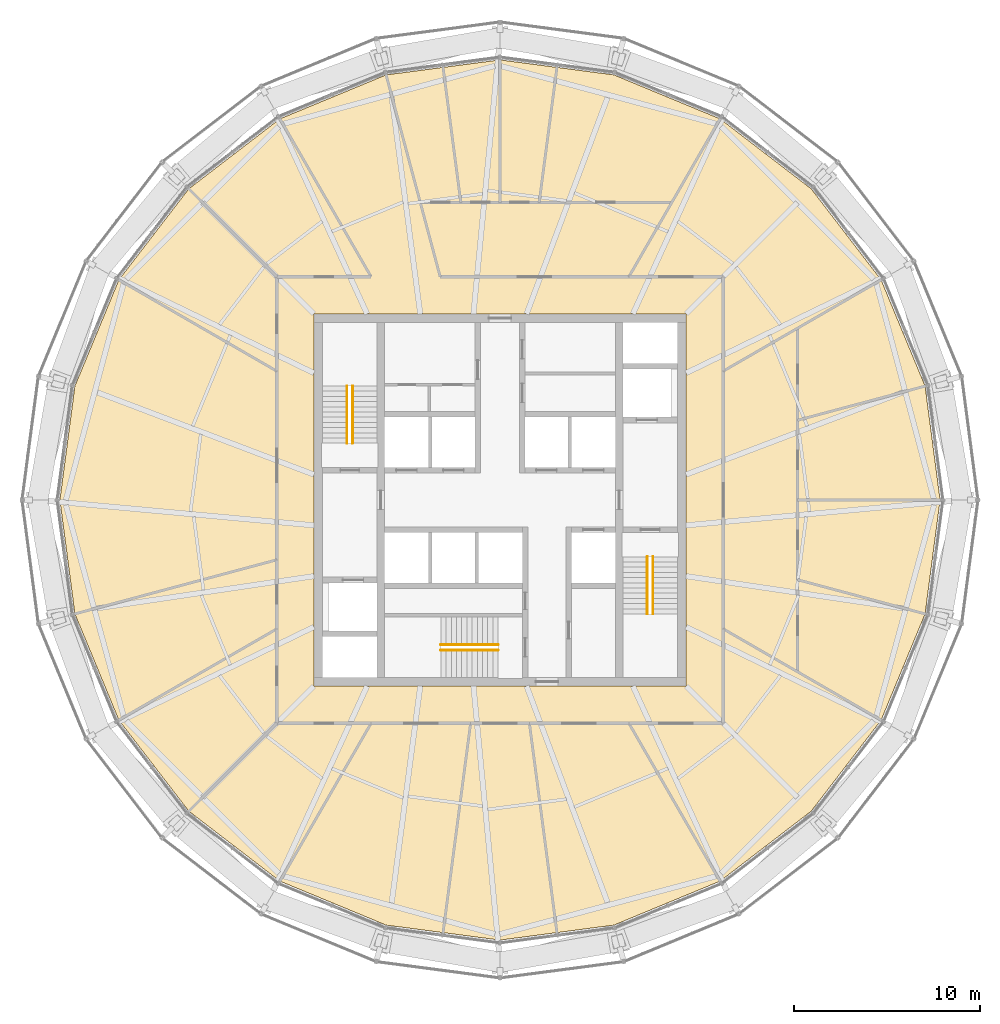
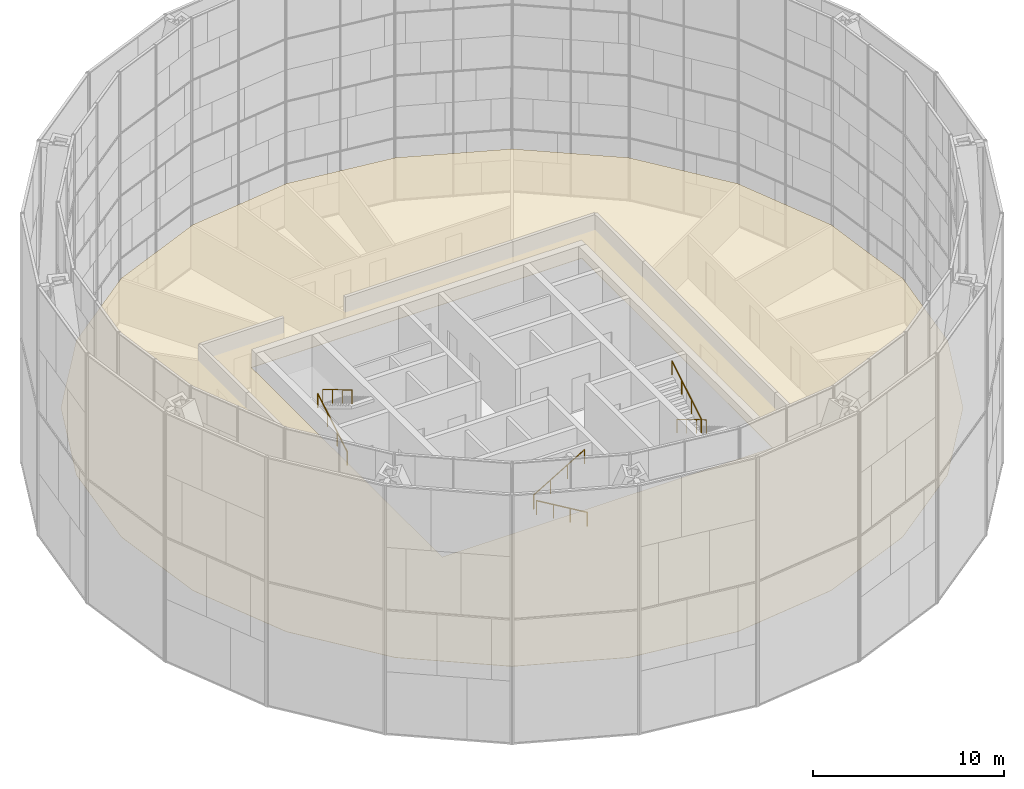
# One storey, part 28 of 28: 6 railings, 1 covering.
"""IFC4 building model written with IfcOpenShell, lengths in metres."""

import ifcopenshell
import ifcopenshell.guid

model = None  # the IFC model being written
_history = None  # IfcOwnerHistory: only IFC2X3 demands one
_inside = {}  # id of a spatial element -> (the spatial element, [elements in it])
_under = {}  # id of a project, library or spatial element -> (it, [spatial elements below it])
_declared = {}  # id of a project -> (the project, [libraries it declares])
_typed = {}  # id of a type object -> (the type object, [elements of that type])
_made_of = {}  # id of a material, layer set ... -> (it, [elements and type objects made of it])


def new_model(schema):
    """Start an empty IFC model of exactly this schema.

    Asked for "IFC4X3", IfcOpenShell would pick the latest addendum, in which some entities
    have other attributes; the version numbers below select the first issue.
    IFC2X3 requires an IfcOwnerHistory on every rooted entity: one is made here for all.
    """
    global model, _history
    if schema == "IFC4X3":
        model = ifcopenshell.file(schema_version=(4, 3, 0, 0))
    else:
        model = ifcopenshell.file(schema=schema)
    _inside.clear()
    _under.clear()
    _declared.clear()
    _typed.clear()
    _made_of.clear()
    _history = None
    if model.schema == "IFC2X3":
        org = make("IfcOrganization", Name="unknown")
        user = make(
            "IfcPersonAndOrganization",
            ThePerson=make("IfcPerson", FamilyName="unknown"),
            TheOrganization=org,
        )
        app = make(
            "IfcApplication",
            ApplicationDeveloper=org,
            Version="unknown",
            ApplicationFullName="unknown",
            ApplicationIdentifier="unknown",
        )
        _history = make(
            "IfcOwnerHistory",
            OwningUser=user,
            OwningApplication=app,
            ChangeAction="ADDED",
            CreationDate=0,
        )
    return model


def make(cls, **values):
    """One entity of the class cls with the attributes given. An attribute that is None is left unset."""
    return model.create_entity(
        cls, **{name: value for name, value in values.items() if value is not None}
    )


def rooted(cls, **values):
    """An entity with a GlobalId (a new one), such as an element, a storey or a relation."""
    return make(cls, GlobalId=ifcopenshell.guid.new(), OwnerHistory=_history, **values)


def si_unit(unit_type, name, prefix=None):
    """IfcSIUnit, for example si_unit("LENGTHUNIT", "METRE", prefix="MILLI")."""
    return make("IfcSIUnit", UnitType=unit_type, Prefix=prefix, Name=name)


def assignment(units):
    """IfcUnitAssignment: the units of a project."""
    return None if units is None else make("IfcUnitAssignment", Units=units)


def point(xyz):
    """IfcCartesianPoint."""
    return None if xyz is None else make("IfcCartesianPoint", Coordinates=xyz)


def direction(xyz):
    """IfcDirection."""
    return None if xyz is None else make("IfcDirection", DirectionRatios=xyz)


def frame(location, z_axis=None, x_axis=None):
    """IfcAxis2Placement3D, a coordinate frame: its origin and axes. An axis left out is left unset."""
    return make(
        "IfcAxis2Placement3D",
        Location=point(location),
        Axis=direction(z_axis),
        RefDirection=direction(x_axis),
    )


def frame_2d(location, x_axis=None):
    """IfcAxis2Placement2D, a coordinate frame in the plane: its origin and x axis."""
    return make(
        "IfcAxis2Placement2D", Location=point(location), RefDirection=direction(x_axis)
    )


def origin():
    """The frame at (0, 0, 0) with its axes left unset."""
    return frame((0.0, 0.0, 0.0))


def origin_2d():
    """The frame at (0, 0) in the plane with its x axis left unset."""
    return frame_2d((0.0, 0.0))


def place(relative_to, where):
    """IfcLocalPlacement: puts the frame where relative to a parent placement (None: the world)."""
    return make(
        "IfcLocalPlacement", PlacementRelTo=relative_to, RelativePlacement=where
    )


def context(
    kind, dimensions, precision=None, world=None, true_north=None, identifier=None
):
    """IfcGeometricRepresentationContext, for example the 3D "Model" context."""
    return make(
        "IfcGeometricRepresentationContext",
        ContextIdentifier=identifier,
        ContextType=kind,
        CoordinateSpaceDimension=dimensions,
        Precision=precision,
        WorldCoordinateSystem=world,
        TrueNorth=true_north,
    )


def subcontext(parent, identifier, kind, view, scale=None):
    """IfcGeometricRepresentationSubContext, for example "Body" below "Model"."""
    return make(
        "IfcGeometricRepresentationSubContext",
        ContextIdentifier=identifier,
        ContextType=kind,
        ParentContext=parent,
        TargetScale=scale,
        TargetView=view,
    )


def project(units=None, contexts=None):
    """IfcProject with its units and contexts."""
    return rooted(
        "IfcProject",
        Name="project",
        RepresentationContexts=contexts,
        UnitsInContext=assignment(units),
    )


def spatial(cls, under=None, at=None, **own):
    """A site, building, storey or space (cls), placed at a placement, below another one or the project."""
    s = rooted(cls, ObjectPlacement=at, **own)
    if under is not None:
        _under.setdefault(under.id(), (under, []))[1].append(s)
    return s


def polyline(points):
    """IfcPolyline through the points."""
    return make("IfcPolyline", Points=[point(p) for p in points])


def profile(cls, at=None, kind="AREA", **sizes):
    """A parametric profile (cls). Its sizes go by their IFC names, for example OverallWidth=200.0."""
    return make(cls, ProfileType=kind, Position=at, **sizes)


def circle(**sizes):
    """IfcCircleProfileDef."""
    return profile("IfcCircleProfileDef", **sizes)


def outline(outer, holes=None, kind="AREA"):
    """IfcArbitraryClosedProfileDef: a profile drawn as a closed curve; with holes, ...WithVoids."""
    if holes is None:
        return make("IfcArbitraryClosedProfileDef", ProfileType=kind, OuterCurve=outer)
    return make(
        "IfcArbitraryProfileDefWithVoids",
        ProfileType=kind,
        OuterCurve=outer,
        InnerCurves=holes,
    )


def extrude(swept, where, along, depth):
    """IfcExtrudedAreaSolid: the profile swept, set in the frame where, extruded along a direction by depth."""
    return make(
        "IfcExtrudedAreaSolid",
        SweptArea=swept,
        Position=where,
        ExtrudedDirection=direction(along),
        Depth=depth,
    )


def shape(context_of_items, identifier, shape_type, items):
    """IfcShapeRepresentation: the items that make up one representation, for example the "Body"."""
    return make(
        "IfcShapeRepresentation",
        ContextOfItems=context_of_items,
        RepresentationIdentifier=identifier,
        RepresentationType=shape_type,
        Items=items,
    )


def material(Name=None, Category=None):
    """IfcMaterial."""
    return make("IfcMaterial", Name=Name, Category=Category)


def layer(
    of_material, thickness, ventilated=None, Name=None, Category=None, Priority=None
):
    """IfcMaterialLayer: one layer of a wall or slab, of a material (None: an air gap)."""
    return make(
        "IfcMaterialLayer",
        Material=of_material,
        LayerThickness=thickness,
        IsVentilated=ventilated,
        Name=Name,
        Category=Category,
        Priority=Priority,
    )


def layer_set(layers, Name=None):
    """IfcMaterialLayerSet."""
    return make("IfcMaterialLayerSet", MaterialLayers=layers, LayerSetName=Name)


def made_of(thing, what):
    """Note that an element or type object is made of a material, layer set ...; save() writes the relation."""
    if what is not None:
        _made_of.setdefault(what.id(), (what, []))[1].append(thing)
    return thing


def type_object(cls, material=None, **own):
    """A type object (cls), such as IfcWallType, which elements share."""
    return made_of(rooted(cls, **own), material)


def element(
    cls,
    number,
    at=None,
    inside=None,
    cuts=None,
    type_object=None,
    material=None,
    context=None,
    identifier="Body",
    shape_type=None,
    held_by="IfcProductDefinitionShape",
    body=None,
    shapes=None,
    **own,
):
    """One element of the class cls, such as IfcWall. Its Tag is "e" and its number.

    at: its placement. inside: the storey or other place that contains it. cuts: it is an
    opening in that element (IfcRelVoidsElement). A single representation is given by context,
    identifier, shape_type and body (its items); several are given by shapes. held_by: the class
    of the entity that holds the representations. save() writes the other relations.
    """
    e = rooted(cls, Tag="e%d" % number, ObjectPlacement=at, **own)
    if body is not None:
        shapes = [shape(context, identifier, shape_type, body)]
    if shapes is not None:
        e.Representation = make(held_by, Representations=shapes)
    if inside is not None:
        _inside.setdefault(inside.id(), (inside, []))[1].append(e)
    if cuts is not None:
        rooted(
            "IfcRelVoidsElement", RelatingBuildingElement=cuts, RelatedOpeningElement=e
        )
    if type_object is not None:
        _typed.setdefault(type_object.id(), (type_object, []))[1].append(e)
    return made_of(e, material)


def aggregate(whole, parts):
    """IfcRelAggregates: a whole, such as a stair, and the parts it consists of."""
    return rooted("IfcRelAggregates", RelatingObject=whole, RelatedObjects=parts)


def save(model, path):
    """Write the relations noted so far, then the file.

    IfcRelAggregates (storeys below a building ...), IfcRelContainedInSpatialStructure (elements
    in a storey), IfcRelDefinesByType, IfcRelAssociatesMaterial and IfcRelDeclares: one each for
    every whole, place, type object, material and project.
    """
    for whole, parts in _under.values():
        aggregate(whole, parts)
    for where, things in _inside.values():
        rooted(
            "IfcRelContainedInSpatialStructure",
            RelatedElements=things,
            RelatingStructure=where,
        )
    for kind, things in _typed.values():
        rooted("IfcRelDefinesByType", RelatedObjects=things, RelatingType=kind)
    for what, things in _made_of.values():
        rooted("IfcRelAssociatesMaterial", RelatedObjects=things, RelatingMaterial=what)
    for by, libraries in _declared.values():
        rooted("IfcRelDeclares", RelatingContext=by, RelatedDefinitions=libraries)
    model.write(path)


model = new_model("IFC4")

# Units and contexts
model_context = context("Model", 3, precision=1e-05, world=origin(), true_north=direction((0.0, 1.0)))
body_context = subcontext(model_context, "Body", "Model", "MODEL_VIEW")
ifc_project = project(units=[si_unit("LENGTHUNIT", "METRE"), si_unit("AREAUNIT", "SQUARE_METRE"), si_unit("VOLUMEUNIT", "CUBIC_METRE"), si_unit("PLANEANGLEUNIT", "RADIAN"), si_unit("MASSUNIT", "GRAM", prefix="KILO")], contexts=[model_context])

# Site, building, storey
site_placement = place(None, origin())
site = spatial("IfcSite", under=ifc_project, at=site_placement, CompositionType="ELEMENT")
building_placement = place(site_placement, origin())
building = spatial("IfcBuilding", under=site, at=building_placement, Name="Golbaran Civic Tower", CompositionType="ELEMENT")
storey_placement = place(building_placement, frame((0.0, 0.0, 183.0)))
storey = spatial("IfcBuildingStorey", under=building, at=storey_placement, Name="L44", CompositionType="ELEMENT", Elevation=183.0)

# Railings
ifc_material_1 = material(Name="Stainless steel", Category="steel")
railing_type = type_object("IfcRailingType", Name="STAIR HANDRAIL 900", PredefinedType="HANDRAIL", material=ifc_material_1)
railing_1_placement = place(storey_placement, frame((-8.22509765625, 3.050048828125, 0.166748046875)))
element("IfcRailing", 1, at=railing_1_placement, inside=storey, type_object=railing_type, Name="Stair S1 handrail flight 1 L44", PredefinedType="HANDRAIL", context=body_context, shape_type="SweptSolid", body=[
    extrude(circle(Radius=0.02392578125, at=origin_2d()), frame((0.0, 0.0, 0.8759765625), z_axis=(0.0, 0.859290745958, 0.51148745235), x_axis=(-1.0, 0.0, 0.0)), (0.0, 0.0, 1.0), 3.584228515625),
    extrude(circle(Radius=0.02099609375, at=origin_2d()), origin(), (0.0, 0.0, 1.0), 0.851806640625),
    extrude(circle(Radius=0.02099609375, at=origin_2d()), frame((0.0, 1.026611328125, 0.611083984375)), (0.0, 0.0, 1.0), 0.851806640625),
    extrude(circle(Radius=0.02099609375, at=origin_2d()), frame((0.0, 2.05322265625, 1.22216796875)), (0.0, 0.0, 1.0), 0.851806640625),
    extrude(circle(Radius=0.02099609375, at=origin_2d()), frame((0.0, 3.079833984375, 1.833251953125)), (0.0, 0.0, 1.0), 0.851806640625),
])
for number, where, name in (
    (2, (-7.925048828125, 6.1298828125, 2.166748046875), "Stair S1 handrail flight 2 L44"),
    (3, (8.22509765625, -3.050048828125, 0.166748046875), "Stair S2 handrail flight 1 L44"),
):
    element("IfcRailing", number, at=place(storey_placement, frame(where)), inside=storey, type_object=railing_type, Name=name, PredefinedType="HANDRAIL", context=body_context, shape_type="SweptSolid", body=[
        extrude(circle(Radius=0.02392578125, at=origin_2d()), frame((0.0, 0.0, 0.8759765625), z_axis=(0.0, -0.859290745958, 0.51148745235), x_axis=(1.0, 0.0, 0.0)), (0.0, 0.0, 1.0), 3.584228515625),
        extrude(circle(Radius=0.02099609375, at=origin_2d()), origin(), (0.0, 0.0, 1.0), 0.851806640625),
        extrude(circle(Radius=0.02099609375, at=origin_2d()), frame((0.0, -1.026611328125, 0.611083984375)), (0.0, 0.0, 1.0), 0.851806640625),
        extrude(circle(Radius=0.02099609375, at=origin_2d()), frame((0.0, -2.05322265625, 1.22216796875)), (0.0, 0.0, 1.0), 0.851806640625),
        extrude(circle(Radius=0.02099609375, at=origin_2d()), frame((0.0, -3.079833984375, 1.833251953125)), (0.0, 0.0, 1.0), 0.851806640625),
    ])
railing_2_placement = place(storey_placement, frame((7.925048828125, -6.1298828125, 2.166748046875)))
element("IfcRailing", 4, at=railing_2_placement, inside=storey, type_object=railing_type, Name="Stair S2 handrail flight 2 L44", PredefinedType="HANDRAIL", context=body_context, shape_type="SweptSolid", body=[
    extrude(circle(Radius=0.02392578125, at=origin_2d()), frame((0.0, 0.0, 0.8759765625), z_axis=(0.0, 0.859290745958, 0.51148745235), x_axis=(-1.0, 0.0, 0.0)), (0.0, 0.0, 1.0), 3.584228515625),
    extrude(circle(Radius=0.02099609375, at=origin_2d()), origin(), (0.0, 0.0, 1.0), 0.851806640625),
    extrude(circle(Radius=0.02099609375, at=origin_2d()), frame((0.0, 1.026611328125, 0.611083984375)), (0.0, 0.0, 1.0), 0.851806640625),
    extrude(circle(Radius=0.02099609375, at=origin_2d()), frame((0.0, 2.05322265625, 1.22216796875)), (0.0, 0.0, 1.0), 0.851806640625),
    extrude(circle(Radius=0.02099609375, at=origin_2d()), frame((0.0, 3.079833984375, 1.833251953125)), (0.0, 0.0, 1.0), 0.851806640625),
])
railing_3_placement = place(storey_placement, frame((-0.10009765625, -8.074951171875, 0.166748046875)))
element("IfcRailing", 5, at=railing_3_placement, inside=storey, type_object=railing_type, Name="Stair S3 handrail flight 1 L44", PredefinedType="HANDRAIL", context=body_context, shape_type="SweptSolid", body=[
    extrude(circle(Radius=0.02392578125, at=origin_2d()), frame((0.0, 0.0, 0.8759765625), z_axis=(-0.859290745958, 0.0, 0.51148745235), x_axis=(0.0, -1.0, 0.0)), (0.0, 0.0, 1.0), 3.584228515625),
    extrude(circle(Radius=0.02099609375, at=origin_2d()), origin(), (0.0, 0.0, 1.0), 0.851806640625),
    extrude(circle(Radius=0.02099609375, at=origin_2d()), frame((-1.026611328125, 0.0, 0.611083984375)), (0.0, 0.0, 1.0), 0.851806640625),
    extrude(circle(Radius=0.02099609375, at=origin_2d()), frame((-2.05322265625, 0.0, 1.22216796875)), (0.0, 0.0, 1.0), 0.851806640625),
    extrude(circle(Radius=0.02099609375, at=origin_2d()), frame((-3.079833984375, 0.0, 1.833251953125)), (0.0, 0.0, 1.0), 0.851806640625),
])
railing_4_placement = place(storey_placement, frame((-3.179931640625, -7.77490234375, 2.166748046875)))
element("IfcRailing", 6, at=railing_4_placement, inside=storey, type_object=railing_type, Name="Stair S3 handrail flight 2 L44", PredefinedType="HANDRAIL", context=body_context, shape_type="SweptSolid", body=[
    extrude(circle(Radius=0.02392578125, at=origin_2d()), frame((0.0, 0.0, 0.8759765625), z_axis=(0.859290745958, 0.0, 0.51148745235), x_axis=(0.0, 1.0, 0.0)), (0.0, 0.0, 1.0), 3.584228515625),
    extrude(circle(Radius=0.02099609375, at=origin_2d()), origin(), (0.0, 0.0, 1.0), 0.851806640625),
    extrude(circle(Radius=0.02099609375, at=origin_2d()), frame((1.026611328125, 0.0, 0.611083984375)), (0.0, 0.0, 1.0), 0.851806640625),
    extrude(circle(Radius=0.02099609375, at=origin_2d()), frame((2.05322265625, 0.0, 1.22216796875)), (0.0, 0.0, 1.0), 0.851806640625),
    extrude(circle(Radius=0.02099609375, at=origin_2d()), frame((3.079833984375, 0.0, 1.833251953125)), (0.0, 0.0, 1.0), 0.851806640625),
])

# Covering
ifc_material_2 = material(Name="Mineral fibre tile on steel grid", Category="steel")
ifc_layer = layer(ifc_material_2, 0.02001953125, Name="Mineral fibre tile on steel grid")
ifc_layer_set = layer_set([ifc_layer], Name="Mineral fibre tile on steel grid")
covering_type = type_object("IfcCoveringType", Name="SUSPENDED CEILING 600 TILE 20", PredefinedType="CEILING", material=ifc_layer_set)
covering_placement = place(storey_placement, frame((0.0, 0.0, 2.800048828125)))
element("IfcCovering", 7, at=covering_placement, inside=storey, type_object=covering_type, Name="Suspended ceiling L44", PredefinedType="CEILING", context=body_context, shape_type="SweptSolid", body=[
    extrude(outline(polyline([(-20.491943359375, 11.8310546875), (-16.7314453125, 16.7314453125), (-11.8310546875, 20.491943359375), (-6.124267578125, 22.855712890625), (0.0, 23.662109375), (6.124267578125, 22.855712890625), (11.8310546875, 20.491943359375), (16.7314453125, 16.7314453125), (20.491943359375, 11.8310546875), (22.855712890625, 6.124267578125), (23.662109375, 0.0), (22.855712890625, -6.124267578125), (20.491943359375, -11.8310546875), (16.7314453125, -16.7314453125), (11.8310546875, -20.491943359375), (6.124267578125, -22.855712890625), (0.0, -23.662109375), (-6.124267578125, -22.855712890625), (-11.8310546875, -20.491943359375), (-16.7314453125, -16.7314453125), (-20.491943359375, -11.8310546875), (-22.855712890625, -6.124267578125), (-23.662109375, 0.0), (-22.855712890625, 6.124267578125), (-20.491943359375, 11.8310546875)]), holes=[polyline([(-10.0, -10.0), (10.0, -10.0), (10.0, 10.0), (-10.0, 10.0), (-10.0, -10.0)])]), origin(), (0.0, 0.0, 1.0), 0.02001953125),
])

save(model, "model.ifc")
